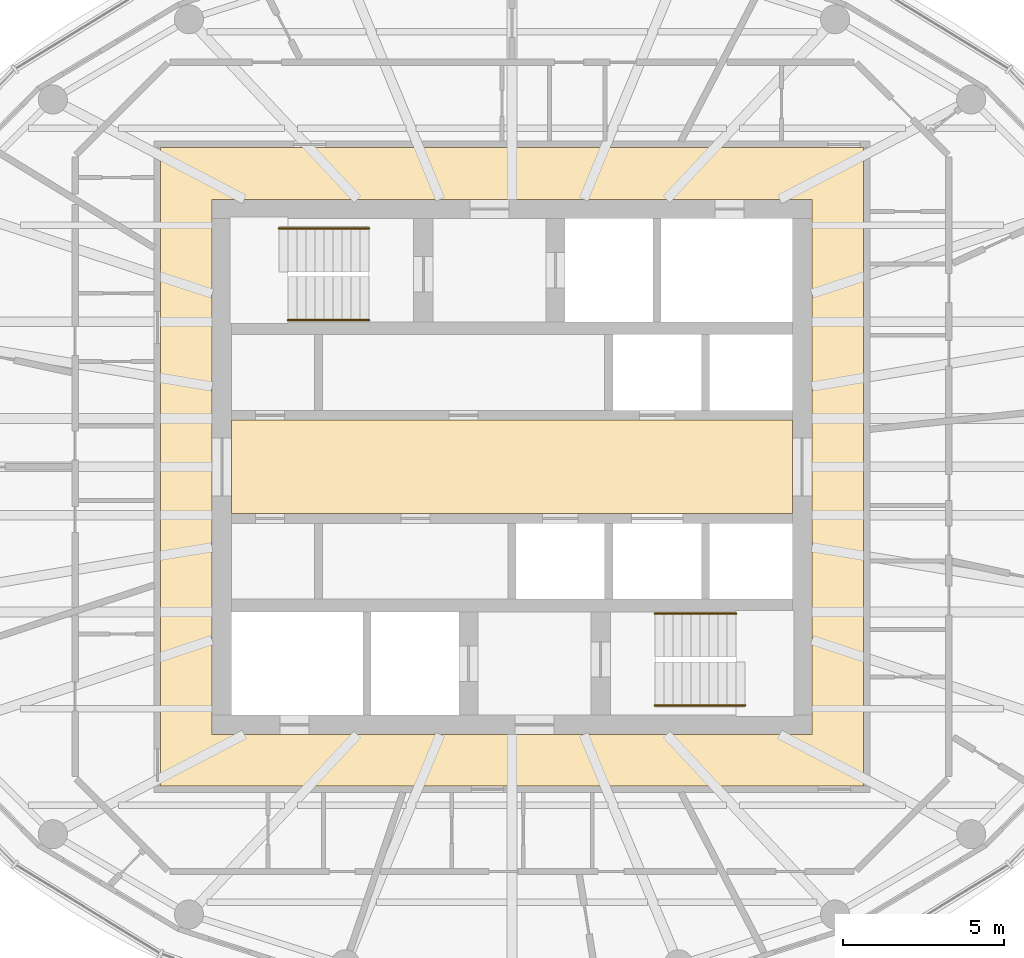
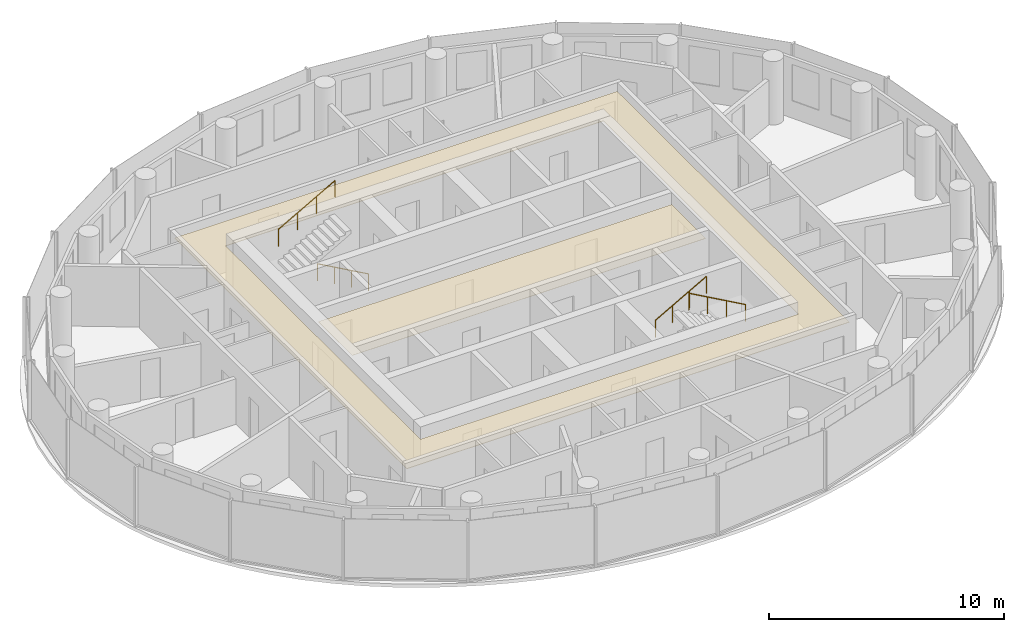
# One storey, part 11 of 11: 4 railings, 2 coverings.
"""IFC4 building model written with IfcOpenShell, lengths in metres."""

from ifc_helpers import new_model, si_unit, direction, frame, origin, origin_2d, place, context, subcontext, project, spatial, polyline, circle, outline, extrude, material, layer, layer_set, type_object, element, save


model = new_model("IFC4")

# Units and contexts
model_context = context("Model", 3, precision=1e-05, world=origin(), true_north=direction((0.0, 1.0)))
body_context = subcontext(model_context, "Body", "Model", "MODEL_VIEW")
ifc_project = project(units=[si_unit("LENGTHUNIT", "METRE"), si_unit("AREAUNIT", "SQUARE_METRE"), si_unit("VOLUMEUNIT", "CUBIC_METRE"), si_unit("PLANEANGLEUNIT", "RADIAN"), si_unit("MASSUNIT", "GRAM", prefix="KILO")], contexts=[model_context])

# Site, building, storey
site_placement = place(None, origin())
site = spatial("IfcSite", under=ifc_project, at=site_placement, CompositionType="ELEMENT")
building_placement = place(site_placement, origin())
building = spatial("IfcBuilding", under=site, at=building_placement, Name="Hankou Lantern Tower", CompositionType="ELEMENT")
storey_placement = place(building_placement, frame((0.0, 0.0, 206.10009765625)))
storey = spatial("IfcBuildingStorey", under=building, at=storey_placement, Name="L55", CompositionType="ELEMENT", Elevation=206.10009765625)

# Coverings
ifc_material_1 = material(Name="Black painted aluminium linear ceiling panels", Category="aluminium")
ifc_layer_1 = layer(ifc_material_1, 0.02490234375)
ifc_layer_set_1 = layer_set([ifc_layer_1], Name="Black painted aluminium linear ceiling panels")
covering_type_1 = type_object("IfcCoveringType", Name="CL1 CORRIDOR CEILING 25", PredefinedType="CEILING", material=ifc_layer_set_1)
covering_1_placement = place(storey_placement, frame((0.0, 0.0, 2.64501953125)))
element("IfcCovering", 1, at=covering_1_placement, inside=storey, type_object=covering_type_1, Name="Corridor ceiling L55", PredefinedType="CEILING", context=body_context, shape_type="SweptSolid", body=[
    extrude(outline(polyline([(-10.89990234375, -9.89990234375), (10.89990234375, -9.89990234375), (10.89990234375, 9.89990234375), (-10.89990234375, 9.89990234375), (-10.89990234375, -9.89990234375)]), holes=[polyline([(-9.300048828125, 8.300048828125), (9.300048828125, 8.300048828125), (9.300048828125, -8.300048828125), (-9.300048828125, -8.300048828125), (-9.300048828125, 8.300048828125)])]), origin(), (0.0, 0.0, 1.0), 0.02490234375),
])
ifc_material_2 = material(Name="Perforated black aluminium acoustic tray ceiling", Category="aluminium")
ifc_layer_2 = layer(ifc_material_2, 0.014892578125)
ifc_layer_set_2 = layer_set([ifc_layer_2], Name="Perforated black aluminium acoustic tray ceiling")
covering_type_2 = type_object("IfcCoveringType", Name="CL2 LIFT LOBBY CEILING 15", PredefinedType="CEILING", material=ifc_layer_set_2)
covering_2_placement = place(storey_placement, frame((0.0, 0.0, 2.65478515625)))
element("IfcCovering", 2, at=covering_2_placement, inside=storey, type_object=covering_type_2, Name="Lift lobby ceiling L55", PredefinedType="CEILING", context=body_context, shape_type="SweptSolid", body=[
    extrude(outline(polyline([(-8.699951171875, -1.449951171875), (8.699951171875, -1.449951171875), (8.699951171875, 1.449951171875), (-8.699951171875, 1.449951171875), (-8.699951171875, -1.449951171875)])), origin(), (0.0, 0.0, 1.0), 0.01513671875),
])

# Railings
ifc_material_3 = material(Name="Steel handrail", Category="steel")
railing_type = type_object("IfcRailingType", Name="HR1 STAIR HANDRAIL", PredefinedType="HANDRAIL", material=ifc_material_3)
railing_1_placement = place(storey_placement, frame((-4.429931640625, 4.550048828125, 0.89990234375)))
element("IfcRailing", 3, at=railing_1_placement, inside=storey, type_object=railing_type, Name="Handrail stair STA L55 flight 1", PredefinedType="HANDRAIL", context=body_context, shape_type="SweptSolid", body=[
    extrude(circle(Radius=0.02392578125, at=origin_2d()), frame((0.0, 0.0, 0.8759765625), z_axis=(-0.872048945198, 0.0, 0.489418672692), x_axis=(0.0, -1.0, 0.0)), (0.0, 0.0, 1.0), 2.8896484375),
    extrude(circle(Radius=0.02099609375, at=origin_2d()), origin(), (0.0, 0.0, 1.0), 0.851806640625),
    extrude(circle(Radius=0.02099609375, at=origin_2d()), frame((-0.840087890625, 0.0, 0.471435546875)), (0.0, 0.0, 1.0), 0.851806640625),
    extrude(circle(Radius=0.02099609375, at=origin_2d()), frame((-1.679931640625, 0.0, 0.94287109375)), (0.0, 0.0, 1.0), 0.851806640625),
    extrude(circle(Radius=0.02099609375, at=origin_2d()), frame((-2.52001953125, 0.0, 1.414306640625)), (0.0, 0.0, 1.0), 0.851806640625),
])
railing_2_placement = place(storey_placement, frame((-7.22998046875, 7.39990234375, 2.471435546875)))
element("IfcRailing", 4, at=railing_2_placement, inside=storey, type_object=railing_type, Name="Handrail stair STA L55 flight 2", PredefinedType="HANDRAIL", context=body_context, shape_type="SweptSolid", body=[
    extrude(circle(Radius=0.02392578125, at=origin_2d()), frame((0.0, 0.0, 0.8759765625), z_axis=(0.872072602893, 0.0, 0.489376516891), x_axis=(0.0, 1.0, 0.0)), (0.0, 0.0, 1.0), 3.210693359375),
    extrude(circle(Radius=0.02099609375, at=origin_2d()), origin(), (0.0, 0.0, 1.0), 0.851806640625),
    extrude(circle(Radius=0.02099609375, at=origin_2d()), frame((0.933349609375, 0.0, 0.523681640625)), (0.0, 0.0, 1.0), 0.851806640625),
    extrude(circle(Radius=0.02099609375, at=origin_2d()), frame((1.86669921875, 0.0, 1.047607421875)), (0.0, 0.0, 1.0), 0.851806640625),
    extrude(circle(Radius=0.02099609375, at=origin_2d()), frame((2.800048828125, 0.0, 1.5712890625)), (0.0, 0.0, 1.0), 0.851806640625),
])
railing_3_placement = place(storey_placement, frame((4.429931640625, -4.550048828125, 0.89990234375)))
element("IfcRailing", 5, at=railing_3_placement, inside=storey, type_object=railing_type, Name="Handrail stair STB L55 flight 1", PredefinedType="HANDRAIL", context=body_context, shape_type="SweptSolid", body=[
    extrude(circle(Radius=0.02392578125, at=origin_2d()), frame((0.0, 0.0, 0.8759765625), z_axis=(0.872048945198, 0.0, 0.489418672692), x_axis=(0.0, 1.0, 0.0)), (0.0, 0.0, 1.0), 2.8896484375),
    extrude(circle(Radius=0.02099609375, at=origin_2d()), origin(), (0.0, 0.0, 1.0), 0.851806640625),
    extrude(circle(Radius=0.02099609375, at=origin_2d()), frame((0.840087890625, 0.0, 0.471435546875)), (0.0, 0.0, 1.0), 0.851806640625),
    extrude(circle(Radius=0.02099609375, at=origin_2d()), frame((1.679931640625, 0.0, 0.94287109375)), (0.0, 0.0, 1.0), 0.851806640625),
    extrude(circle(Radius=0.02099609375, at=origin_2d()), frame((2.52001953125, 0.0, 1.414306640625)), (0.0, 0.0, 1.0), 0.851806640625),
])
railing_4_placement = place(storey_placement, frame((7.22998046875, -7.39990234375, 2.471435546875)))
element("IfcRailing", 6, at=railing_4_placement, inside=storey, type_object=railing_type, Name="Handrail stair STB L55 flight 2", PredefinedType="HANDRAIL", context=body_context, shape_type="SweptSolid", body=[
    extrude(circle(Radius=0.02392578125, at=origin_2d()), frame((0.0, 0.0, 0.8759765625), z_axis=(-0.872072602893, 0.0, 0.489376516891), x_axis=(0.0, -1.0, 0.0)), (0.0, 0.0, 1.0), 3.210693359375),
    extrude(circle(Radius=0.02099609375, at=origin_2d()), origin(), (0.0, 0.0, 1.0), 0.851806640625),
    extrude(circle(Radius=0.02099609375, at=origin_2d()), frame((-0.933349609375, 0.0, 0.523681640625)), (0.0, 0.0, 1.0), 0.851806640625),
    extrude(circle(Radius=0.02099609375, at=origin_2d()), frame((-1.86669921875, 0.0, 1.047607421875)), (0.0, 0.0, 1.0), 0.851806640625),
    extrude(circle(Radius=0.02099609375, at=origin_2d()), frame((-2.800048828125, 0.0, 1.5712890625)), (0.0, 0.0, 1.0), 0.851806640625),
])

save(model, "model.ifc")
